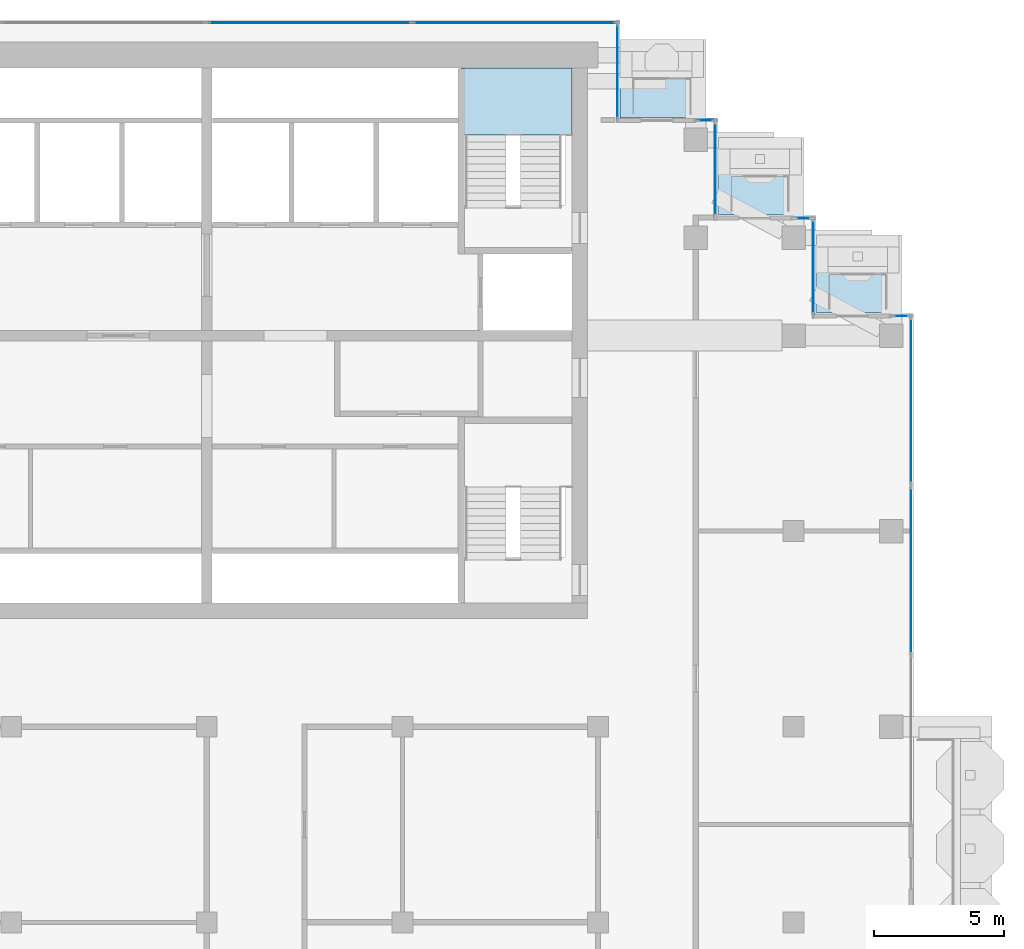
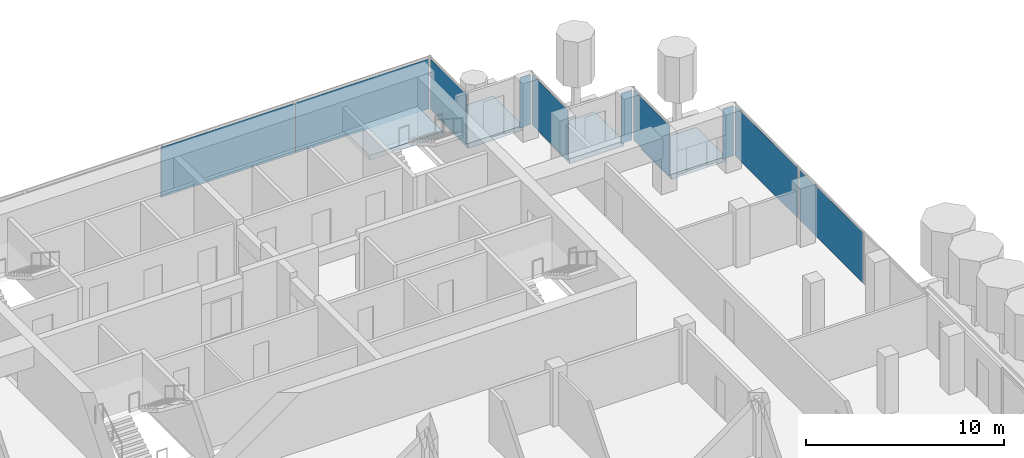
# One storey, part 10 of 18: 10 plates, 4 slabs, 10 elements without a shape of their own.
"""IFC4 building model written with IfcOpenShell, lengths in metres."""

from ifc_helpers import new_model, si_unit, direction, frame, origin, origin_2d, place, context, subcontext, project, spatial, polyline, rectangle, outline, extrude, material, layer, layer_set, type_object, element, aggregate, save


model = new_model("IFC4")

# Units and contexts
model_context = context("Model", 3, precision=1e-05, world=origin(), true_north=direction((0.0, 1.0)))
body_context = subcontext(model_context, "Body", "Model", "MODEL_VIEW")
ifc_project = project(units=[si_unit("LENGTHUNIT", "METRE"), si_unit("AREAUNIT", "SQUARE_METRE"), si_unit("VOLUMEUNIT", "CUBIC_METRE"), si_unit("PLANEANGLEUNIT", "RADIAN"), si_unit("MASSUNIT", "GRAM", prefix="KILO")], contexts=[model_context])

# Site, building, storey
site_placement = place(None, origin())
site = spatial("IfcSite", under=ifc_project, at=site_placement, CompositionType="ELEMENT")
building_placement = place(site_placement, origin())
building = spatial("IfcBuilding", under=site, at=building_placement, Name="Pilkhan Gate Tower", CompositionType="ELEMENT")
storey_placement = place(building_placement, frame((0.0, 0.0, 249.89990234375)))
storey = spatial("IfcBuildingStorey", under=building, at=storey_placement, Name="L65", CompositionType="ELEMENT", Elevation=249.89990234375)

# Slabs
ifc_material_1 = material(Name="Concrete C60/75", Category="concrete")
ifc_layer_1 = layer(ifc_material_1, 0.300048828125)
ifc_layer_set_1 = layer_set([ifc_layer_1], Name="Balcony tray slab TR300")
slab_type_1 = type_object("IfcSlabType", Name="Balcony tray slab TR300", PredefinedType="FLOOR", material=ifc_layer_set_1)
slab_1_placement = place(storey_placement, frame((0.0, 0.0, -0.2998046875)))
element("IfcSlab", 1, at=slab_1_placement, inside=storey, type_object=slab_type_1, Name="Balcony tray L65 N", PredefinedType="FLOOR", context=body_context, shape_type="SweptSolid", body=[
    extrude(outline(polyline([(94.050048828125, 90.85009765625), (94.050048828125, 93.85009765625), (90.85009765625, 93.85009765625), (90.85009765625, 90.85009765625), (94.050048828125, 90.85009765625)])), origin(), (0.0, 0.0, 1.0), 0.2998046875),
])
slab_2_placement = place(storey_placement, frame((0.0, 0.0, -0.2998046875)))
element("IfcSlab", 2, at=slab_2_placement, inside=storey, type_object=slab_type_1, Name="Balcony tray L65 N", PredefinedType="FLOOR", context=body_context, shape_type="SweptSolid", body=[
    extrude(outline(polyline([(97.800048828125, 87.1201171875), (97.800048828125, 90.10009765625), (94.6201171875, 90.10009765625), (94.6201171875, 87.1201171875), (97.800048828125, 87.1201171875)])), origin(), (0.0, 0.0, 1.0), 0.2998046875),
])
slab_3_placement = place(storey_placement, frame((0.0, 0.0, -0.2998046875)))
element("IfcSlab", 3, at=slab_3_placement, inside=storey, type_object=slab_type_1, Name="Balcony tray L65 N", PredefinedType="FLOOR", context=body_context, shape_type="SweptSolid", body=[
    extrude(outline(polyline([(101.550048828125, 83.3701171875), (101.550048828125, 86.35009765625), (98.3701171875, 86.35009765625), (98.3701171875, 83.3701171875), (101.550048828125, 83.3701171875)])), origin(), (0.0, 0.0, 1.0), 0.2998046875),
])

# Curtain wall, plate
ifc_material_2 = material(Name="Pale anodised aluminium, clear low-iron double glazing", Category="aluminium")
curtain_wall_type = type_object("IfcCurtainWallType", Name="Office unitised curtain wall CW-O2", PredefinedType="USERDEFINED", material=ifc_material_2)
curtain_wall_1_placement = place(storey_placement, origin())
curtain_wall_1 = element("IfcCurtainWall", 4, at=curtain_wall_1_placement, inside=storey, type_object=curtain_wall_type, Name="Office unitised curtain wall CW-O2 L65 E", ObjectType="UNITISED CURTAIN WALL", PredefinedType="USERDEFINED")
ifc_material_3 = material(Name="Clear low-iron double glazing", Category="glass")
ifc_layer_2 = layer(ifc_material_3, 0.031982421875)
ifc_layer_set_2 = layer_set([ifc_layer_2], Name="Glass panel CW-O2 32")
plate_type = type_object("IfcPlateType", Name="Glass panel CW-O2 32", PredefinedType="CURTAIN_PANEL", material=ifc_layer_set_2)
plate_1_placement = place(storey_placement, frame((102.0, 73.483642578125, 0.0), z_axis=(0.0, 0.0, 1.0), x_axis=(0.0, 1.0, 0.0)))
plate_1 = element("IfcPlate", 5, at=plate_1_placement, type_object=plate_type, Name="CW-O2 panel 2", PredefinedType="CURTAIN_PANEL", context=body_context, shape_type="SweptSolid", body=[
    extrude(rectangle(XDim=6.402587890625, YDim=0.031982421875, at=origin_2d()), origin(), (0.0, 0.0, 1.0), 3.0849609375),
])
aggregate(curtain_wall_1, [plate_1])

curtain_wall_2_placement = place(storey_placement, origin())
curtain_wall_2 = element("IfcCurtainWall", 6, at=curtain_wall_2_placement, inside=storey, type_object=curtain_wall_type, Name="Office unitised curtain wall CW-O2 L65 E", ObjectType="UNITISED CURTAIN WALL", PredefinedType="USERDEFINED")
plate_2_placement = place(storey_placement, frame((102.0, 80.0, 0.0), z_axis=(0.0, 0.0, 1.0), x_axis=(0.0, 1.0, 0.0)))
plate_2 = element("IfcPlate", 7, at=plate_2_placement, type_object=plate_type, Name="CW-O2 panel 1", PredefinedType="CURTAIN_PANEL", context=body_context, shape_type="SweptSolid", body=[
    extrude(rectangle(XDim=6.3701171875, YDim=0.031982421875, at=origin_2d()), origin(), (0.0, 0.0, 1.0), 3.0849609375),
])
aggregate(curtain_wall_2, [plate_2])

curtain_wall_3_placement = place(storey_placement, origin())
curtain_wall_3 = element("IfcCurtainWall", 8, at=curtain_wall_3_placement, inside=storey, type_object=curtain_wall_type, Name="Office unitised curtain wall CW-O2 L65 N", ObjectType="UNITISED CURTAIN WALL", PredefinedType="USERDEFINED")
plate_3_placement = place(storey_placement, frame((101.625, 83.25, 0.0), z_axis=(0.0, 0.0, 1.0), x_axis=(1.0, 0.0, 0.0)))
plate_3 = element("IfcPlate", 9, at=plate_3_placement, type_object=plate_type, Name="CW-O2 panel 1", PredefinedType="CURTAIN_PANEL", context=body_context, shape_type="SweptSolid", body=[
    extrude(rectangle(XDim=0.6201171875, YDim=0.031982421875, at=origin_2d()), origin(), (0.0, 0.0, 1.0), 3.0849609375),
])
aggregate(curtain_wall_3, [plate_3])

curtain_wall_4_placement = place(storey_placement, origin())
curtain_wall_4 = element("IfcCurtainWall", 10, at=curtain_wall_4_placement, inside=storey, type_object=curtain_wall_type, Name="Office unitised curtain wall CW-O2 L65 E", ObjectType="UNITISED CURTAIN WALL", PredefinedType="USERDEFINED")
plate_4_placement = place(storey_placement, frame((98.25, 85.125, 0.0), z_axis=(0.0, 0.0, 1.0), x_axis=(0.0, 1.0, 0.0)))
plate_4 = element("IfcPlate", 11, at=plate_4_placement, type_object=plate_type, Name="CW-O2 panel 1", PredefinedType="CURTAIN_PANEL", context=body_context, shape_type="SweptSolid", body=[
    extrude(rectangle(XDim=3.6201171875, YDim=0.031982421875, at=origin_2d()), origin(), (0.0, 0.0, 1.0), 3.0849609375),
])
aggregate(curtain_wall_4, [plate_4])

curtain_wall_5_placement = place(storey_placement, origin())
curtain_wall_5 = element("IfcCurtainWall", 12, at=curtain_wall_5_placement, inside=storey, type_object=curtain_wall_type, Name="Office unitised curtain wall CW-O2 L65 N", ObjectType="UNITISED CURTAIN WALL", PredefinedType="USERDEFINED")
plate_5_placement = place(storey_placement, frame((97.875, 87.0, 0.0), z_axis=(0.0, 0.0, 1.0), x_axis=(1.0, 0.0, 0.0)))
plate_5 = element("IfcPlate", 13, at=plate_5_placement, type_object=plate_type, Name="CW-O2 panel 1", PredefinedType="CURTAIN_PANEL", context=body_context, shape_type="SweptSolid", body=[
    extrude(rectangle(XDim=0.6201171875, YDim=0.031982421875, at=origin_2d()), origin(), (0.0, 0.0, 1.0), 3.0849609375),
])
aggregate(curtain_wall_5, [plate_5])

curtain_wall_6_placement = place(storey_placement, origin())
curtain_wall_6 = element("IfcCurtainWall", 14, at=curtain_wall_6_placement, inside=storey, type_object=curtain_wall_type, Name="Office unitised curtain wall CW-O2 L65 E", ObjectType="UNITISED CURTAIN WALL", PredefinedType="USERDEFINED")
plate_6_placement = place(storey_placement, frame((94.5, 88.875, 0.0), z_axis=(0.0, 0.0, 1.0), x_axis=(0.0, 1.0, 0.0)))
plate_6 = element("IfcPlate", 15, at=plate_6_placement, type_object=plate_type, Name="CW-O2 panel 1", PredefinedType="CURTAIN_PANEL", context=body_context, shape_type="SweptSolid", body=[
    extrude(rectangle(XDim=3.6201171875, YDim=0.031982421875, at=origin_2d()), origin(), (0.0, 0.0, 1.0), 3.0849609375),
])
aggregate(curtain_wall_6, [plate_6])

curtain_wall_7_placement = place(storey_placement, origin())
curtain_wall_7 = element("IfcCurtainWall", 16, at=curtain_wall_7_placement, inside=storey, type_object=curtain_wall_type, Name="Office unitised curtain wall CW-O2 L65 N", ObjectType="UNITISED CURTAIN WALL", PredefinedType="USERDEFINED")
plate_7_placement = place(storey_placement, frame((94.125, 90.75, 0.0), z_axis=(0.0, 0.0, 1.0), x_axis=(1.0, 0.0, 0.0)))
plate_7 = element("IfcPlate", 17, at=plate_7_placement, type_object=plate_type, Name="CW-O2 panel 1", PredefinedType="CURTAIN_PANEL", context=body_context, shape_type="SweptSolid", body=[
    extrude(rectangle(XDim=0.6201171875, YDim=0.031982421875, at=origin_2d()), origin(), (0.0, 0.0, 1.0), 3.0849609375),
])
aggregate(curtain_wall_7, [plate_7])

curtain_wall_8_placement = place(storey_placement, origin())
curtain_wall_8 = element("IfcCurtainWall", 18, at=curtain_wall_8_placement, inside=storey, type_object=curtain_wall_type, Name="Office unitised curtain wall CW-O2 L65 E", ObjectType="UNITISED CURTAIN WALL", PredefinedType="USERDEFINED")
plate_8_placement = place(storey_placement, frame((90.75, 92.625, 0.0), z_axis=(0.0, 0.0, 1.0), x_axis=(0.0, 1.0, 0.0)))
plate_8 = element("IfcPlate", 19, at=plate_8_placement, type_object=plate_type, Name="CW-O2 panel 1", PredefinedType="CURTAIN_PANEL", context=body_context, shape_type="SweptSolid", body=[
    extrude(rectangle(XDim=3.6201171875, YDim=0.031982421875, at=origin_2d()), origin(), (0.0, 0.0, 1.0), 3.0849609375),
])
aggregate(curtain_wall_8, [plate_8])

# Curtain wall, plates
curtain_wall_9_placement = place(storey_placement, origin())
curtain_wall_9 = element("IfcCurtainWall", 20, at=curtain_wall_9_placement, inside=storey, type_object=curtain_wall_type, Name="Office unitised curtain wall CW-O2 L65 N", ObjectType="UNITISED CURTAIN WALL", PredefinedType="USERDEFINED")
plate_9_placement = place(storey_placement, frame((78.953857421875, 94.5, 0.0), z_axis=(0.0, 0.0, 1.0), x_axis=(1.0, 0.0, 0.0)))
plate_9 = element("IfcPlate", 21, at=plate_9_placement, type_object=plate_type, Name="CW-O2 panel 1", PredefinedType="CURTAIN_PANEL", context=body_context, shape_type="SweptSolid", body=[
    extrude(rectangle(XDim=7.777587890625, YDim=0.031982421875, at=origin_2d()), origin(), (0.0, 0.0, 1.0), 3.0849609375),
])
plate_10_placement = place(storey_placement, frame((86.796142578125, 94.5, 0.0), z_axis=(0.0, 0.0, 1.0), x_axis=(1.0, 0.0, 0.0)))
plate_10 = element("IfcPlate", 22, at=plate_10_placement, type_object=plate_type, Name="CW-O2 panel 2", PredefinedType="CURTAIN_PANEL", context=body_context, shape_type="SweptSolid", body=[
    extrude(rectangle(XDim=7.777587890625, YDim=0.031982421875, at=origin_2d()), origin(), (0.0, 0.0, 1.0), 3.0849609375),
])
aggregate(curtain_wall_9, [plate_9, plate_10])

# Stair, slab
ifc_material_4 = material(Name="Concrete C40/50 precast", Category="concrete")
stair_type = type_object("IfcStairType", Name="Stair ST4 164x280", PredefinedType="HALF_TURN_STAIR", material=ifc_material_4)
stair_placement = place(storey_placement, origin())
stair = element("IfcStair", 23, at=stair_placement, inside=storey, type_object=stair_type, Name="Stair ST4 L65", PredefinedType="HALF_TURN_STAIR")
ifc_material_5 = material(Name="Concrete C40/50", Category="concrete")
ifc_layer_3 = layer(ifc_material_5, 0.199951171875)
ifc_layer_set_3 = layer_set([ifc_layer_3], Name="Stair landing SL200")
slab_type_2 = type_object("IfcSlabType", Name="Stair landing SL200", PredefinedType="LANDING", material=ifc_layer_set_3)
slab_4_placement = place(storey_placement, frame((0.0, 0.0, 1.5)))
slab_4 = element("IfcSlab", 24, at=slab_4_placement, type_object=slab_type_2, Name="ST4 landing 1", PredefinedType="LANDING", context=body_context, shape_type="SweptSolid", body=[
    extrude(outline(polyline([(89.0, 90.199951171875), (89.0, 92.75), (84.75, 92.75), (84.75, 90.199951171875), (89.0, 90.199951171875)])), origin(), (0.0, 0.0, 1.0), 0.300048828125),
])
aggregate(stair, [slab_4])

save(model, "model.ifc")
